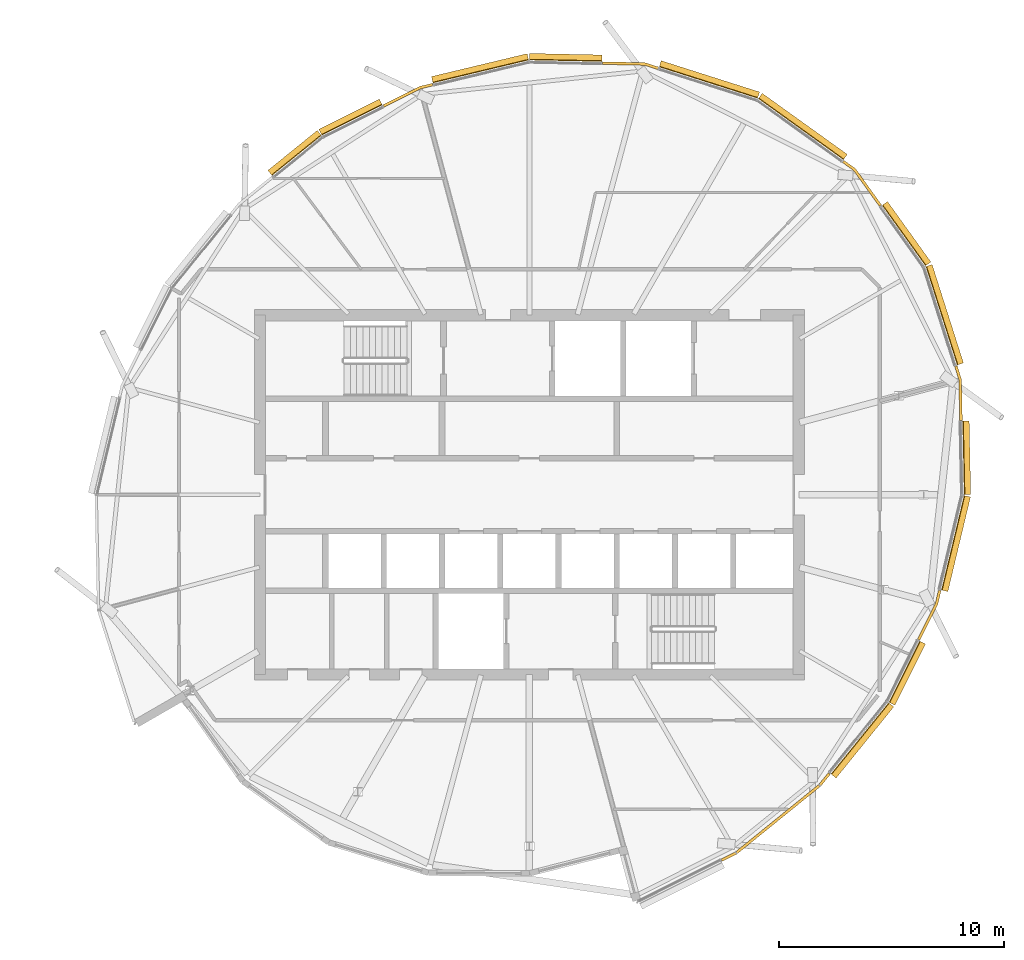
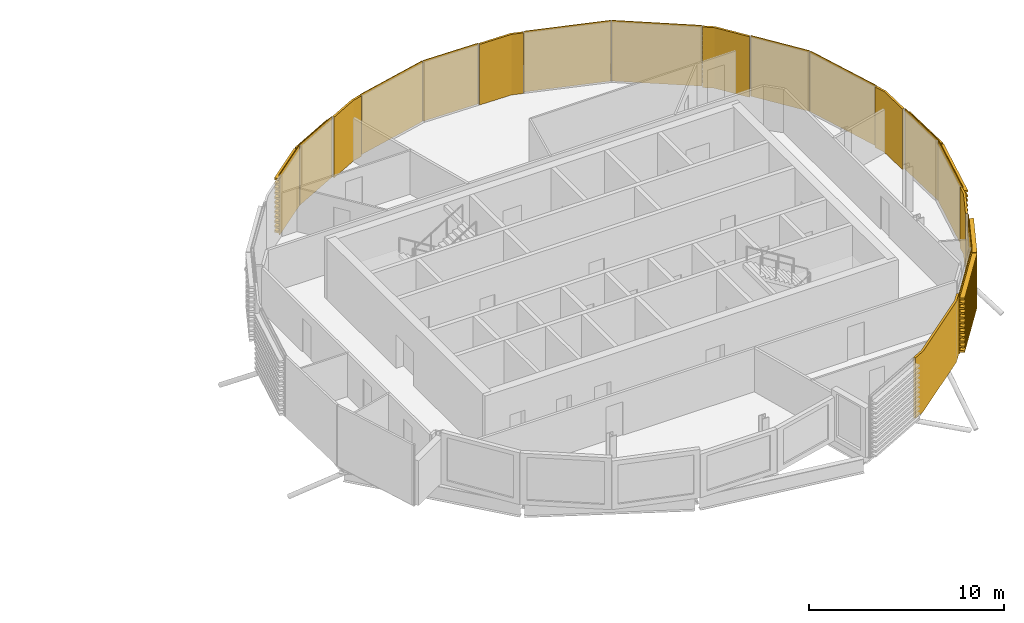
# One storey, part 33 of 33: 18 coverings.
"""IFC4 building model written with IfcOpenShell, lengths in metres."""

from ifc_helpers import new_model, si_unit, direction, frame, origin, place, context, subcontext, project, spatial, polyline, outline, extrude, material, layer, layer_set, material_profile, profile_set, type_object, element, save


model = new_model("IFC4")

# Units and contexts
model_context = context("Model", 3, precision=1e-05, world=origin(), true_north=direction((0.0, 1.0)))
body_context = subcontext(model_context, "Body", "Model", "MODEL_VIEW")
ifc_project = project(units=[si_unit("LENGTHUNIT", "METRE"), si_unit("AREAUNIT", "SQUARE_METRE"), si_unit("VOLUMEUNIT", "CUBIC_METRE"), si_unit("PLANEANGLEUNIT", "RADIAN"), si_unit("MASSUNIT", "GRAM", prefix="KILO")], contexts=[model_context])

# Site, building, storey
site_placement = place(None, origin())
site = spatial("IfcSite", under=ifc_project, at=site_placement, CompositionType="ELEMENT")
building_placement = place(site_placement, origin())
building = spatial("IfcBuilding", under=site, at=building_placement, Name="Rimbun Link Towers", CompositionType="ELEMENT")
storey_placement = place(building_placement, frame((0.0, 0.0, 240.89990234375)))
storey = spatial("IfcBuildingStorey", under=building, at=storey_placement, Name="L59", CompositionType="ELEMENT", Elevation=240.89990234375)

# Coverings
ifc_material_1 = material(Name="Terracotta", Category="masonry")
ifc_layer = layer(ifc_material_1, 0.1201171875)
ifc_layer_set = layer_set([ifc_layer], Name="LINK PIER terracotta cladding 120")
covering_type_1 = type_object("IfcCoveringType", Name="LINK PIER terracotta cladding 120", PredefinedType="CLADDING", material=ifc_layer_set)
covering_1_placement = place(storey_placement, origin())
element("IfcCovering", 1, at=covering_1_placement, inside=storey, type_object=covering_type_1, Name="LINK PIER cladding", PredefinedType="CLADDING", context=body_context, shape_type="SweptSolid", body=[
    extrude(outline(polyline([(45.68896484375, 14.80419921875), (46.19287109375, 14.44287109375), (47.34130859375, 12.84228515625), (47.438720703125, 12.912109375), (46.27880859375, 14.52880859375), (45.759033203125, 14.90185546875), (45.68896484375, 14.80419921875)])), origin(), (0.0, 0.0, 1.0), 3.800048828125),
])
covering_2_placement = place(storey_placement, origin())
element("IfcCovering", 2, at=covering_2_placement, inside=storey, type_object=covering_type_1, Name="LINK PIER cladding", PredefinedType="CLADDING", context=body_context, shape_type="SweptSolid", body=[
    extrude(outline(polyline([(35.00634765625, 19.169677734375), (36.8759765625, 19.13037109375), (37.466796875, 18.9423828125), (37.503173828125, 19.056640625), (36.895751953125, 19.25), (35.0087890625, 19.28955078125), (35.00634765625, 19.169677734375)])), origin(), (0.0, 0.0, 1.0), 3.800048828125),
])
covering_3_placement = place(storey_placement, origin())
element("IfcCovering", 3, at=covering_3_placement, inside=storey, type_object=covering_type_1, Name="LINK PIER cladding", PredefinedType="CLADDING", context=body_context, shape_type="SweptSolid", body=[
    extrude(outline(polyline([(25.279052734375, 17.262939453125), (26.905517578125, 18.07958984375), (27.4599609375, 18.21240234375), (27.43212890625, 18.3291015625), (26.8642578125, 18.193115234375), (25.225341796875, 17.3701171875), (25.279052734375, 17.262939453125)])), origin(), (0.0, 0.0, 1.0), 3.800048828125),
])
covering_4_placement = place(storey_placement, origin())
element("IfcCovering", 4, at=covering_4_placement, inside=storey, type_object=covering_type_1, Name="LINK PIER cladding", PredefinedType="CLADDING", context=body_context, shape_type="SweptSolid", body=[
    extrude(outline(polyline([(45.06689453125, -12.37451171875), (44.6455078125, -12.8955078125), (40.930908203125, -15.90185546875), (40.28759765625, -16.22509765625), (40.341552734375, -16.332275390625), (40.996337890625, -16.00341796875), (44.730712890625, -12.980712890625), (45.16015625, -12.4501953125), (45.06689453125, -12.37451171875)])), origin(), (0.0, 0.0, 1.0), 3.800048828125),
])
covering_5_placement = place(storey_placement, origin())
element("IfcCovering", 5, at=covering_5_placement, inside=storey, type_object=covering_type_1, Name="LINK PIER cladding", PredefinedType="CLADDING", context=body_context, shape_type="SweptSolid", body=[
    extrude(outline(polyline([(49.973876953125, -4.241455078125), (49.82958984375, -4.844482421875), (49.035400390625, -6.42626953125), (49.142578125, -6.47998046875), (49.943115234375, -4.8857421875), (50.090576171875, -4.269287109375), (49.973876953125, -4.241455078125)])), origin(), (0.0, 0.0, 1.0), 3.800048828125),
])
covering_6_placement = place(storey_placement, origin())
element("IfcCovering", 6, at=covering_6_placement, inside=storey, type_object=covering_type_1, Name="LINK PIER cladding", PredefinedType="CLADDING", context=body_context, shape_type="SweptSolid", body=[
    extrude(outline(polyline([(50.6923828125, 5.716796875), (50.88037109375, 5.1259765625), (50.918701171875, 3.306396484375), (51.03857421875, 3.308837890625), (51.0, 5.145751953125), (50.806640625, 5.753173828125), (50.6923828125, 5.716796875)])), origin(), (0.0, 0.0, 1.0), 3.800048828125),
])
ifc_material_2 = material(Name="Terracotta", Category="masonry")
ifc_material_profile = material_profile(ifc_material_2, outline(polyline([(0.123046875, 0.0), (0.1630859375, 0.0), (0.1630859375, 0.10009765625), (0.423095703125, 0.10009765625), (0.423095703125, 0.219970703125), (0.1630859375, 0.219970703125), (0.1630859375, 0.39990234375), (0.423095703125, 0.39990234375), (0.423095703125, 0.52001953125), (0.1630859375, 0.52001953125), (0.1630859375, 0.699951171875), (0.423095703125, 0.699951171875), (0.423095703125, 0.820068359375), (0.1630859375, 0.820068359375), (0.1630859375, 1.0), (0.423095703125, 1.0), (0.423095703125, 1.1201171875), (0.1630859375, 1.1201171875), (0.1630859375, 1.300048828125), (0.423095703125, 1.300048828125), (0.423095703125, 1.419921875), (0.1630859375, 1.419921875), (0.1630859375, 1.60009765625), (0.423095703125, 1.60009765625), (0.423095703125, 1.719970703125), (0.1630859375, 1.719970703125), (0.1630859375, 1.89990234375), (0.423095703125, 1.89990234375), (0.423095703125, 2.02001953125), (0.1630859375, 2.02001953125), (0.1630859375, 2.199951171875), (0.423095703125, 2.199951171875), (0.423095703125, 2.320068359375), (0.1630859375, 2.320068359375), (0.1630859375, 2.5), (0.423095703125, 2.5), (0.423095703125, 2.6201171875), (0.1630859375, 2.6201171875), (0.1630859375, 2.800048828125), (0.423095703125, 2.800048828125), (0.423095703125, 2.919921875), (0.1630859375, 2.919921875), (0.1630859375, 3.10009765625), (0.423095703125, 3.10009765625), (0.423095703125, 3.219970703125), (0.1630859375, 3.219970703125), (0.1630859375, 3.39990234375), (0.423095703125, 3.39990234375), (0.423095703125, 3.52001953125), (0.1630859375, 3.52001953125), (0.1630859375, 3.800048828125), (0.123046875, 3.800048828125), (0.123046875, 0.0)])), Name="BAGUETTE 120X300")
ifc_profile_set = profile_set([ifc_material_profile], Name="Terracotta")
covering_type_2 = type_object("IfcCoveringType", Name="TERRACOTTA BAGUETTE 120X300 H3800", PredefinedType="CLADDING", material=ifc_profile_set)
covering_7_placement = place(storey_placement, frame((41.876708984375, 17.539794921875, 0.0), z_axis=(0.812489722705, -0.582975514493, 0.0), x_axis=(0.582975514493, 0.812489722705, 0.0)))
element("IfcCovering", 7, at=covering_7_placement, inside=storey, type_object=covering_type_2, Name="TERRACOTTA BAGUETTE", PredefinedType="CLADDING", context=body_context, shape_type="SweptSolid", body=[
    extrude(outline(polyline([(0.123046875, 0.0), (0.1630859375, 0.0), (0.1630859375, 0.10009765625), (0.423095703125, 0.10009765625), (0.423095703125, 0.219970703125), (0.1630859375, 0.219970703125), (0.1630859375, 0.39990234375), (0.423095703125, 0.39990234375), (0.423095703125, 0.52001953125), (0.1630859375, 0.52001953125), (0.1630859375, 0.699951171875), (0.423095703125, 0.699951171875), (0.423095703125, 0.820068359375), (0.1630859375, 0.820068359375), (0.1630859375, 1.0), (0.423095703125, 1.0), (0.423095703125, 1.1201171875), (0.1630859375, 1.1201171875), (0.1630859375, 1.300048828125), (0.423095703125, 1.300048828125), (0.423095703125, 1.419921875), (0.1630859375, 1.419921875), (0.1630859375, 1.60009765625), (0.423095703125, 1.60009765625), (0.423095703125, 1.719970703125), (0.1630859375, 1.719970703125), (0.1630859375, 1.89990234375), (0.423095703125, 1.89990234375), (0.423095703125, 2.02001953125), (0.1630859375, 2.02001953125), (0.1630859375, 2.199951171875), (0.423095703125, 2.199951171875), (0.423095703125, 2.320068359375), (0.1630859375, 2.320068359375), (0.1630859375, 2.5), (0.423095703125, 2.5), (0.423095703125, 2.6201171875), (0.1630859375, 2.6201171875), (0.1630859375, 2.800048828125), (0.423095703125, 2.800048828125), (0.423095703125, 2.919921875), (0.1630859375, 2.919921875), (0.1630859375, 3.10009765625), (0.423095703125, 3.10009765625), (0.423095703125, 3.219970703125), (0.1630859375, 3.219970703125), (0.1630859375, 3.39990234375), (0.423095703125, 3.39990234375), (0.423095703125, 3.52001953125), (0.1630859375, 3.52001953125), (0.1630859375, 3.800048828125), (0.123046875, 3.800048828125), (0.123046875, 0.0)])), origin(), (0.0, 0.0, 1.0), 4.662353515625),
])
covering_8_placement = place(storey_placement, frame((37.495361328125, 18.933349609375, 0.0), z_axis=(0.952957854704, -0.303102832645, 0.0), x_axis=(0.303102832645, 0.952957854704, 0.0)))
element("IfcCovering", 8, at=covering_8_placement, inside=storey, type_object=covering_type_2, Name="TERRACOTTA BAGUETTE", PredefinedType="CLADDING", context=body_context, shape_type="SweptSolid", body=[
    extrude(outline(polyline([(0.123046875, 0.0), (0.1630859375, 0.0), (0.1630859375, 0.10009765625), (0.423095703125, 0.10009765625), (0.423095703125, 0.219970703125), (0.1630859375, 0.219970703125), (0.1630859375, 0.39990234375), (0.423095703125, 0.39990234375), (0.423095703125, 0.52001953125), (0.1630859375, 0.52001953125), (0.1630859375, 0.699951171875), (0.423095703125, 0.699951171875), (0.423095703125, 0.820068359375), (0.1630859375, 0.820068359375), (0.1630859375, 1.0), (0.423095703125, 1.0), (0.423095703125, 1.1201171875), (0.1630859375, 1.1201171875), (0.1630859375, 1.300048828125), (0.423095703125, 1.300048828125), (0.423095703125, 1.419921875), (0.1630859375, 1.419921875), (0.1630859375, 1.60009765625), (0.423095703125, 1.60009765625), (0.423095703125, 1.719970703125), (0.1630859375, 1.719970703125), (0.1630859375, 1.89990234375), (0.423095703125, 1.89990234375), (0.423095703125, 2.02001953125), (0.1630859375, 2.02001953125), (0.1630859375, 2.199951171875), (0.423095703125, 2.199951171875), (0.423095703125, 2.320068359375), (0.1630859375, 2.320068359375), (0.1630859375, 2.5), (0.423095703125, 2.5), (0.423095703125, 2.6201171875), (0.1630859375, 2.6201171875), (0.1630859375, 2.800048828125), (0.423095703125, 2.800048828125), (0.423095703125, 2.919921875), (0.1630859375, 2.919921875), (0.1630859375, 3.10009765625), (0.423095703125, 3.10009765625), (0.423095703125, 3.219970703125), (0.1630859375, 3.219970703125), (0.1630859375, 3.39990234375), (0.423095703125, 3.39990234375), (0.423095703125, 3.52001953125), (0.1630859375, 3.52001953125), (0.1630859375, 3.800048828125), (0.123046875, 3.800048828125), (0.123046875, 0.0)])), origin(), (0.0, 0.0, 1.0), 4.59765625),
])
covering_9_placement = place(storey_placement, frame((31.75, 19.23828125, 0.0), z_axis=(0.999778802026, -0.021032047443, 0.0), x_axis=(0.021032047443, 0.999778802026, 0.0)))
element("IfcCovering", 9, at=covering_9_placement, inside=storey, type_object=covering_type_2, Name="TERRACOTTA BAGUETTE", PredefinedType="CLADDING", context=body_context, shape_type="SweptSolid", body=[
    extrude(outline(polyline([(0.123046875, 0.0), (0.1630859375, 0.0), (0.1630859375, 0.10009765625), (0.423095703125, 0.10009765625), (0.423095703125, 0.219970703125), (0.1630859375, 0.219970703125), (0.1630859375, 0.39990234375), (0.423095703125, 0.39990234375), (0.423095703125, 0.52001953125), (0.1630859375, 0.52001953125), (0.1630859375, 0.699951171875), (0.423095703125, 0.699951171875), (0.423095703125, 0.820068359375), (0.1630859375, 0.820068359375), (0.1630859375, 1.0), (0.423095703125, 1.0), (0.423095703125, 1.1201171875), (0.1630859375, 1.1201171875), (0.1630859375, 1.300048828125), (0.423095703125, 1.300048828125), (0.423095703125, 1.419921875), (0.1630859375, 1.419921875), (0.1630859375, 1.60009765625), (0.423095703125, 1.60009765625), (0.423095703125, 1.719970703125), (0.1630859375, 1.719970703125), (0.1630859375, 1.89990234375), (0.423095703125, 1.89990234375), (0.423095703125, 2.02001953125), (0.1630859375, 2.02001953125), (0.1630859375, 2.199951171875), (0.423095703125, 2.199951171875), (0.423095703125, 2.320068359375), (0.1630859375, 2.320068359375), (0.1630859375, 2.5), (0.423095703125, 2.5), (0.423095703125, 2.6201171875), (0.1630859375, 2.6201171875), (0.1630859375, 2.800048828125), (0.423095703125, 2.800048828125), (0.423095703125, 2.919921875), (0.1630859375, 2.919921875), (0.1630859375, 3.10009765625), (0.423095703125, 3.10009765625), (0.423095703125, 3.219970703125), (0.1630859375, 3.219970703125), (0.1630859375, 3.39990234375), (0.423095703125, 3.39990234375), (0.423095703125, 3.52001953125), (0.1630859375, 3.52001953125), (0.1630859375, 3.800048828125), (0.123046875, 3.800048828125), (0.123046875, 0.0)])), origin(), (0.0, 0.0, 1.0), 3.22705078125),
])
covering_10_placement = place(storey_placement, frame((27.4892578125, 18.21923828125, 0.0), z_axis=(0.972570121916, 0.232609883617, 0.0), x_axis=(-0.232609883617, 0.972570121916, 0.0)))
element("IfcCovering", 10, at=covering_10_placement, inside=storey, type_object=covering_type_2, Name="TERRACOTTA BAGUETTE", PredefinedType="CLADDING", context=body_context, shape_type="SweptSolid", body=[
    extrude(outline(polyline([(0.123046875, 0.0), (0.1630859375, 0.0), (0.1630859375, 0.10009765625), (0.423095703125, 0.10009765625), (0.423095703125, 0.219970703125), (0.1630859375, 0.219970703125), (0.1630859375, 0.39990234375), (0.423095703125, 0.39990234375), (0.423095703125, 0.52001953125), (0.1630859375, 0.52001953125), (0.1630859375, 0.699951171875), (0.423095703125, 0.699951171875), (0.423095703125, 0.820068359375), (0.1630859375, 0.820068359375), (0.1630859375, 1.0), (0.423095703125, 1.0), (0.423095703125, 1.1201171875), (0.1630859375, 1.1201171875), (0.1630859375, 1.300048828125), (0.423095703125, 1.300048828125), (0.423095703125, 1.419921875), (0.1630859375, 1.419921875), (0.1630859375, 1.60009765625), (0.423095703125, 1.60009765625), (0.423095703125, 1.719970703125), (0.1630859375, 1.719970703125), (0.1630859375, 1.89990234375), (0.423095703125, 1.89990234375), (0.423095703125, 2.02001953125), (0.1630859375, 2.02001953125), (0.1630859375, 2.199951171875), (0.423095703125, 2.199951171875), (0.423095703125, 2.320068359375), (0.1630859375, 2.320068359375), (0.1630859375, 2.5), (0.423095703125, 2.5), (0.423095703125, 2.6201171875), (0.1630859375, 2.6201171875), (0.1630859375, 2.800048828125), (0.423095703125, 2.800048828125), (0.423095703125, 2.919921875), (0.1630859375, 2.919921875), (0.1630859375, 3.10009765625), (0.423095703125, 3.10009765625), (0.423095703125, 3.219970703125), (0.1630859375, 3.219970703125), (0.1630859375, 3.39990234375), (0.423095703125, 3.39990234375), (0.423095703125, 3.52001953125), (0.1630859375, 3.52001953125), (0.1630859375, 3.800048828125), (0.123046875, 3.800048828125), (0.123046875, 0.0)])), origin(), (0.0, 0.0, 1.0), 4.380859375),
])
covering_11_placement = place(storey_placement, frame((22.569091796875, 15.90185546875, 0.0), z_axis=(0.89362897726, 0.448806473885, 0.0), x_axis=(-0.448806473885, 0.89362897726, 0.0)))
element("IfcCovering", 11, at=covering_11_placement, inside=storey, type_object=covering_type_2, Name="TERRACOTTA BAGUETTE", PredefinedType="CLADDING", context=body_context, shape_type="SweptSolid", body=[
    extrude(outline(polyline([(0.123046875, 0.0), (0.1630859375, 0.0), (0.1630859375, 0.10009765625), (0.423095703125, 0.10009765625), (0.423095703125, 0.219970703125), (0.1630859375, 0.219970703125), (0.1630859375, 0.39990234375), (0.423095703125, 0.39990234375), (0.423095703125, 0.52001953125), (0.1630859375, 0.52001953125), (0.1630859375, 0.699951171875), (0.423095703125, 0.699951171875), (0.423095703125, 0.820068359375), (0.1630859375, 0.820068359375), (0.1630859375, 1.0), (0.423095703125, 1.0), (0.423095703125, 1.1201171875), (0.1630859375, 1.1201171875), (0.1630859375, 1.300048828125), (0.423095703125, 1.300048828125), (0.423095703125, 1.419921875), (0.1630859375, 1.419921875), (0.1630859375, 1.60009765625), (0.423095703125, 1.60009765625), (0.423095703125, 1.719970703125), (0.1630859375, 1.719970703125), (0.1630859375, 1.89990234375), (0.423095703125, 1.89990234375), (0.423095703125, 2.02001953125), (0.1630859375, 2.02001953125), (0.1630859375, 2.199951171875), (0.423095703125, 2.199951171875), (0.423095703125, 2.320068359375), (0.1630859375, 2.320068359375), (0.1630859375, 2.5), (0.423095703125, 2.5), (0.423095703125, 2.6201171875), (0.1630859375, 2.6201171875), (0.1630859375, 2.800048828125), (0.423095703125, 2.800048828125), (0.423095703125, 2.919921875), (0.1630859375, 2.919921875), (0.1630859375, 3.10009765625), (0.423095703125, 3.10009765625), (0.423095703125, 3.219970703125), (0.1630859375, 3.219970703125), (0.1630859375, 3.39990234375), (0.423095703125, 3.39990234375), (0.423095703125, 3.52001953125), (0.1630859375, 3.52001953125), (0.1630859375, 3.800048828125), (0.123046875, 3.800048828125), (0.123046875, 0.0)])), origin(), (0.0, 0.0, 1.0), 3.002685546875),
])
covering_12_placement = place(storey_placement, frame((20.370361328125, 14.122314453125, 0.0), z_axis=(0.777311195317, 0.629116289437, 0.0), x_axis=(-0.629116289437, 0.777311195317, 0.0)))
element("IfcCovering", 12, at=covering_12_placement, inside=storey, type_object=covering_type_2, Name="TERRACOTTA BAGUETTE", PredefinedType="CLADDING", context=body_context, shape_type="SweptSolid", body=[
    extrude(outline(polyline([(0.123046875, 0.0), (0.1630859375, 0.0), (0.1630859375, 0.10009765625), (0.423095703125, 0.10009765625), (0.423095703125, 0.219970703125), (0.1630859375, 0.219970703125), (0.1630859375, 0.39990234375), (0.423095703125, 0.39990234375), (0.423095703125, 0.52001953125), (0.1630859375, 0.52001953125), (0.1630859375, 0.699951171875), (0.423095703125, 0.699951171875), (0.423095703125, 0.820068359375), (0.1630859375, 0.820068359375), (0.1630859375, 1.0), (0.423095703125, 1.0), (0.423095703125, 1.1201171875), (0.1630859375, 1.1201171875), (0.1630859375, 1.300048828125), (0.423095703125, 1.300048828125), (0.423095703125, 1.419921875), (0.1630859375, 1.419921875), (0.1630859375, 1.60009765625), (0.423095703125, 1.60009765625), (0.423095703125, 1.719970703125), (0.1630859375, 1.719970703125), (0.1630859375, 1.89990234375), (0.423095703125, 1.89990234375), (0.423095703125, 2.02001953125), (0.1630859375, 2.02001953125), (0.1630859375, 2.199951171875), (0.423095703125, 2.199951171875), (0.423095703125, 2.320068359375), (0.1630859375, 2.320068359375), (0.1630859375, 2.5), (0.423095703125, 2.5), (0.423095703125, 2.6201171875), (0.1630859375, 2.6201171875), (0.1630859375, 2.800048828125), (0.423095703125, 2.800048828125), (0.423095703125, 2.919921875), (0.1630859375, 2.919921875), (0.1630859375, 3.10009765625), (0.423095703125, 3.10009765625), (0.423095703125, 3.219970703125), (0.1630859375, 3.219970703125), (0.1630859375, 3.39990234375), (0.423095703125, 3.39990234375), (0.423095703125, 3.52001953125), (0.1630859375, 3.52001953125), (0.1630859375, 3.800048828125), (0.123046875, 3.800048828125), (0.123046875, 0.0)])), origin(), (0.0, 0.0, 1.0), 2.82861328125),
])
covering_13_placement = place(storey_placement, frame((47.65185546875, -9.180908203125, 0.0), z_axis=(-0.629144848884, -0.777288079879, 0.0), x_axis=(0.777288079879, -0.629144848884, 0.0)))
element("IfcCovering", 13, at=covering_13_placement, inside=storey, type_object=covering_type_2, Name="TERRACOTTA BAGUETTE", PredefinedType="CLADDING", context=body_context, shape_type="SweptSolid", body=[
    extrude(outline(polyline([(0.123046875, 0.0), (0.1630859375, 0.0), (0.1630859375, 0.10009765625), (0.423095703125, 0.10009765625), (0.423095703125, 0.219970703125), (0.1630859375, 0.219970703125), (0.1630859375, 0.39990234375), (0.423095703125, 0.39990234375), (0.423095703125, 0.52001953125), (0.1630859375, 0.52001953125), (0.1630859375, 0.699951171875), (0.423095703125, 0.699951171875), (0.423095703125, 0.820068359375), (0.1630859375, 0.820068359375), (0.1630859375, 1.0), (0.423095703125, 1.0), (0.423095703125, 1.1201171875), (0.1630859375, 1.1201171875), (0.1630859375, 1.300048828125), (0.423095703125, 1.300048828125), (0.423095703125, 1.419921875), (0.1630859375, 1.419921875), (0.1630859375, 1.60009765625), (0.423095703125, 1.60009765625), (0.423095703125, 1.719970703125), (0.1630859375, 1.719970703125), (0.1630859375, 1.89990234375), (0.423095703125, 1.89990234375), (0.423095703125, 2.02001953125), (0.1630859375, 2.02001953125), (0.1630859375, 2.199951171875), (0.423095703125, 2.199951171875), (0.423095703125, 2.320068359375), (0.1630859375, 2.320068359375), (0.1630859375, 2.5), (0.423095703125, 2.5), (0.423095703125, 2.6201171875), (0.1630859375, 2.6201171875), (0.1630859375, 2.800048828125), (0.423095703125, 2.800048828125), (0.423095703125, 2.919921875), (0.1630859375, 2.919921875), (0.1630859375, 3.10009765625), (0.423095703125, 3.10009765625), (0.423095703125, 3.219970703125), (0.1630859375, 3.219970703125), (0.1630859375, 3.39990234375), (0.423095703125, 3.39990234375), (0.423095703125, 3.52001953125), (0.1630859375, 3.52001953125), (0.1630859375, 3.800048828125), (0.123046875, 3.800048828125), (0.123046875, 0.0)])), origin(), (0.0, 0.0, 1.0), 4.078857421875),
])
covering_14_placement = place(storey_placement, frame((49.02197265625, -6.452880859375, 0.0), z_axis=(-0.448812354249, -0.893626023946, 0.0), x_axis=(0.893626023946, -0.448812354249, 0.0)))
element("IfcCovering", 14, at=covering_14_placement, inside=storey, type_object=covering_type_2, Name="TERRACOTTA BAGUETTE", PredefinedType="CLADDING", context=body_context, shape_type="SweptSolid", body=[
    extrude(outline(polyline([(0.123046875, 0.0), (0.1630859375, 0.0), (0.1630859375, 0.10009765625), (0.423095703125, 0.10009765625), (0.423095703125, 0.219970703125), (0.1630859375, 0.219970703125), (0.1630859375, 0.39990234375), (0.423095703125, 0.39990234375), (0.423095703125, 0.52001953125), (0.1630859375, 0.52001953125), (0.1630859375, 0.699951171875), (0.423095703125, 0.699951171875), (0.423095703125, 0.820068359375), (0.1630859375, 0.820068359375), (0.1630859375, 1.0), (0.423095703125, 1.0), (0.423095703125, 1.1201171875), (0.1630859375, 1.1201171875), (0.1630859375, 1.300048828125), (0.423095703125, 1.300048828125), (0.423095703125, 1.419921875), (0.1630859375, 1.419921875), (0.1630859375, 1.60009765625), (0.423095703125, 1.60009765625), (0.423095703125, 1.719970703125), (0.1630859375, 1.719970703125), (0.1630859375, 1.89990234375), (0.423095703125, 1.89990234375), (0.423095703125, 2.02001953125), (0.1630859375, 2.02001953125), (0.1630859375, 2.199951171875), (0.423095703125, 2.199951171875), (0.423095703125, 2.320068359375), (0.1630859375, 2.320068359375), (0.1630859375, 2.5), (0.423095703125, 2.5), (0.423095703125, 2.6201171875), (0.1630859375, 2.6201171875), (0.1630859375, 2.800048828125), (0.423095703125, 2.800048828125), (0.423095703125, 2.919921875), (0.1630859375, 2.919921875), (0.1630859375, 3.10009765625), (0.423095703125, 3.10009765625), (0.423095703125, 3.219970703125), (0.1630859375, 3.219970703125), (0.1630859375, 3.39990234375), (0.423095703125, 3.39990234375), (0.423095703125, 3.52001953125), (0.1630859375, 3.52001953125), (0.1630859375, 3.800048828125), (0.123046875, 3.800048828125), (0.123046875, 0.0)])), origin(), (0.0, 0.0, 1.0), 3.052734375),
])
covering_15_placement = place(storey_placement, frame((50.98828125, 0.0, 0.0), z_axis=(-0.232588282519, -0.972575288003, 0.0), x_axis=(0.972575288003, -0.232588282519, 0.0)))
element("IfcCovering", 15, at=covering_15_placement, inside=storey, type_object=covering_type_2, Name="TERRACOTTA BAGUETTE", PredefinedType="CLADDING", context=body_context, shape_type="SweptSolid", body=[
    extrude(outline(polyline([(0.123046875, 0.0), (0.1630859375, 0.0), (0.1630859375, 0.10009765625), (0.423095703125, 0.10009765625), (0.423095703125, 0.219970703125), (0.1630859375, 0.219970703125), (0.1630859375, 0.39990234375), (0.423095703125, 0.39990234375), (0.423095703125, 0.52001953125), (0.1630859375, 0.52001953125), (0.1630859375, 0.699951171875), (0.423095703125, 0.699951171875), (0.423095703125, 0.820068359375), (0.1630859375, 0.820068359375), (0.1630859375, 1.0), (0.423095703125, 1.0), (0.423095703125, 1.1201171875), (0.1630859375, 1.1201171875), (0.1630859375, 1.300048828125), (0.423095703125, 1.300048828125), (0.423095703125, 1.419921875), (0.1630859375, 1.419921875), (0.1630859375, 1.60009765625), (0.423095703125, 1.60009765625), (0.423095703125, 1.719970703125), (0.1630859375, 1.719970703125), (0.1630859375, 1.89990234375), (0.423095703125, 1.89990234375), (0.423095703125, 2.02001953125), (0.1630859375, 2.02001953125), (0.1630859375, 2.199951171875), (0.423095703125, 2.199951171875), (0.423095703125, 2.320068359375), (0.1630859375, 2.320068359375), (0.1630859375, 2.5), (0.423095703125, 2.5), (0.423095703125, 2.6201171875), (0.1630859375, 2.6201171875), (0.1630859375, 2.800048828125), (0.423095703125, 2.800048828125), (0.423095703125, 2.919921875), (0.1630859375, 2.919921875), (0.1630859375, 3.10009765625), (0.423095703125, 3.10009765625), (0.423095703125, 3.219970703125), (0.1630859375, 3.219970703125), (0.1630859375, 3.39990234375), (0.423095703125, 3.39990234375), (0.423095703125, 3.52001953125), (0.1630859375, 3.52001953125), (0.1630859375, 3.800048828125), (0.123046875, 3.800048828125), (0.123046875, 0.0)])), origin(), (0.0, 0.0, 1.0), 4.3310546875),
])
covering_16_placement = place(storey_placement, frame((50.919189453125, 3.2763671875, 0.0), z_axis=(0.02108324112, -0.999777723769, 0.0), x_axis=(0.999777723769, 0.02108324112, 0.0)))
element("IfcCovering", 16, at=covering_16_placement, inside=storey, type_object=covering_type_2, Name="TERRACOTTA BAGUETTE", PredefinedType="CLADDING", context=body_context, shape_type="SweptSolid", body=[
    extrude(outline(polyline([(0.123046875, 0.0), (0.1630859375, 0.0), (0.1630859375, 0.10009765625), (0.423095703125, 0.10009765625), (0.423095703125, 0.219970703125), (0.1630859375, 0.219970703125), (0.1630859375, 0.39990234375), (0.423095703125, 0.39990234375), (0.423095703125, 0.52001953125), (0.1630859375, 0.52001953125), (0.1630859375, 0.699951171875), (0.423095703125, 0.699951171875), (0.423095703125, 0.820068359375), (0.1630859375, 0.820068359375), (0.1630859375, 1.0), (0.423095703125, 1.0), (0.423095703125, 1.1201171875), (0.1630859375, 1.1201171875), (0.1630859375, 1.300048828125), (0.423095703125, 1.300048828125), (0.423095703125, 1.419921875), (0.1630859375, 1.419921875), (0.1630859375, 1.60009765625), (0.423095703125, 1.60009765625), (0.423095703125, 1.719970703125), (0.1630859375, 1.719970703125), (0.1630859375, 1.89990234375), (0.423095703125, 1.89990234375), (0.423095703125, 2.02001953125), (0.1630859375, 2.02001953125), (0.1630859375, 2.199951171875), (0.423095703125, 2.199951171875), (0.423095703125, 2.320068359375), (0.1630859375, 2.320068359375), (0.1630859375, 2.5), (0.423095703125, 2.5), (0.423095703125, 2.6201171875), (0.1630859375, 2.6201171875), (0.1630859375, 2.800048828125), (0.423095703125, 2.800048828125), (0.423095703125, 2.919921875), (0.1630859375, 2.919921875), (0.1630859375, 3.10009765625), (0.423095703125, 3.10009765625), (0.423095703125, 3.219970703125), (0.1630859375, 3.219970703125), (0.1630859375, 3.39990234375), (0.423095703125, 3.39990234375), (0.423095703125, 3.52001953125), (0.1630859375, 3.52001953125), (0.1630859375, 3.800048828125), (0.123046875, 3.800048828125), (0.123046875, 0.0)])), origin(), (0.0, 0.0, 1.0), 3.277099609375),
])
covering_17_placement = place(storey_placement, frame((49.289794921875, 10.126708984375, 0.0), z_axis=(0.303102832645, -0.952957854704, 0.0), x_axis=(0.952957854704, 0.303102832645, 0.0)))
element("IfcCovering", 17, at=covering_17_placement, inside=storey, type_object=covering_type_2, Name="TERRACOTTA BAGUETTE", PredefinedType="CLADDING", context=body_context, shape_type="SweptSolid", body=[
    extrude(outline(polyline([(0.123046875, 0.0), (0.1630859375, 0.0), (0.1630859375, 0.10009765625), (0.423095703125, 0.10009765625), (0.423095703125, 0.219970703125), (0.1630859375, 0.219970703125), (0.1630859375, 0.39990234375), (0.423095703125, 0.39990234375), (0.423095703125, 0.52001953125), (0.1630859375, 0.52001953125), (0.1630859375, 0.699951171875), (0.423095703125, 0.699951171875), (0.423095703125, 0.820068359375), (0.1630859375, 0.820068359375), (0.1630859375, 1.0), (0.423095703125, 1.0), (0.423095703125, 1.1201171875), (0.1630859375, 1.1201171875), (0.1630859375, 1.300048828125), (0.423095703125, 1.300048828125), (0.423095703125, 1.419921875), (0.1630859375, 1.419921875), (0.1630859375, 1.60009765625), (0.423095703125, 1.60009765625), (0.423095703125, 1.719970703125), (0.1630859375, 1.719970703125), (0.1630859375, 1.89990234375), (0.423095703125, 1.89990234375), (0.423095703125, 2.02001953125), (0.1630859375, 2.02001953125), (0.1630859375, 2.199951171875), (0.423095703125, 2.199951171875), (0.423095703125, 2.320068359375), (0.1630859375, 2.320068359375), (0.1630859375, 2.5), (0.423095703125, 2.5), (0.423095703125, 2.6201171875), (0.1630859375, 2.6201171875), (0.1630859375, 2.800048828125), (0.423095703125, 2.800048828125), (0.423095703125, 2.919921875), (0.1630859375, 2.919921875), (0.1630859375, 3.10009765625), (0.423095703125, 3.10009765625), (0.423095703125, 3.219970703125), (0.1630859375, 3.219970703125), (0.1630859375, 3.39990234375), (0.423095703125, 3.39990234375), (0.423095703125, 3.52001953125), (0.1630859375, 3.52001953125), (0.1630859375, 3.800048828125), (0.123046875, 3.800048828125), (0.123046875, 0.0)])), origin(), (0.0, 0.0, 1.0), 4.59765625),
])
covering_18_placement = place(storey_placement, frame((47.35888671875, 12.81787109375, 0.0), z_axis=(0.582966059378, -0.812496506831, 0.0), x_axis=(0.812496506831, 0.582966059378, 0.0)))
element("IfcCovering", 18, at=covering_18_placement, inside=storey, type_object=covering_type_2, Name="TERRACOTTA BAGUETTE", PredefinedType="CLADDING", context=body_context, shape_type="SweptSolid", body=[
    extrude(outline(polyline([(0.123046875, 0.0), (0.1630859375, 0.0), (0.1630859375, 0.10009765625), (0.423095703125, 0.10009765625), (0.423095703125, 0.219970703125), (0.1630859375, 0.219970703125), (0.1630859375, 0.39990234375), (0.423095703125, 0.39990234375), (0.423095703125, 0.52001953125), (0.1630859375, 0.52001953125), (0.1630859375, 0.699951171875), (0.423095703125, 0.699951171875), (0.423095703125, 0.820068359375), (0.1630859375, 0.820068359375), (0.1630859375, 1.0), (0.423095703125, 1.0), (0.423095703125, 1.1201171875), (0.1630859375, 1.1201171875), (0.1630859375, 1.300048828125), (0.423095703125, 1.300048828125), (0.423095703125, 1.419921875), (0.1630859375, 1.419921875), (0.1630859375, 1.60009765625), (0.423095703125, 1.60009765625), (0.423095703125, 1.719970703125), (0.1630859375, 1.719970703125), (0.1630859375, 1.89990234375), (0.423095703125, 1.89990234375), (0.423095703125, 2.02001953125), (0.1630859375, 2.02001953125), (0.1630859375, 2.199951171875), (0.423095703125, 2.199951171875), (0.423095703125, 2.320068359375), (0.1630859375, 2.320068359375), (0.1630859375, 2.5), (0.423095703125, 2.5), (0.423095703125, 2.6201171875), (0.1630859375, 2.6201171875), (0.1630859375, 2.800048828125), (0.423095703125, 2.800048828125), (0.423095703125, 2.919921875), (0.1630859375, 2.919921875), (0.1630859375, 3.10009765625), (0.423095703125, 3.10009765625), (0.423095703125, 3.219970703125), (0.1630859375, 3.219970703125), (0.1630859375, 3.39990234375), (0.423095703125, 3.39990234375), (0.423095703125, 3.52001953125), (0.1630859375, 3.52001953125), (0.1630859375, 3.800048828125), (0.123046875, 3.800048828125), (0.123046875, 0.0)])), origin(), (0.0, 0.0, 1.0), 3.312255859375),
])

save(model, "model.ifc")
